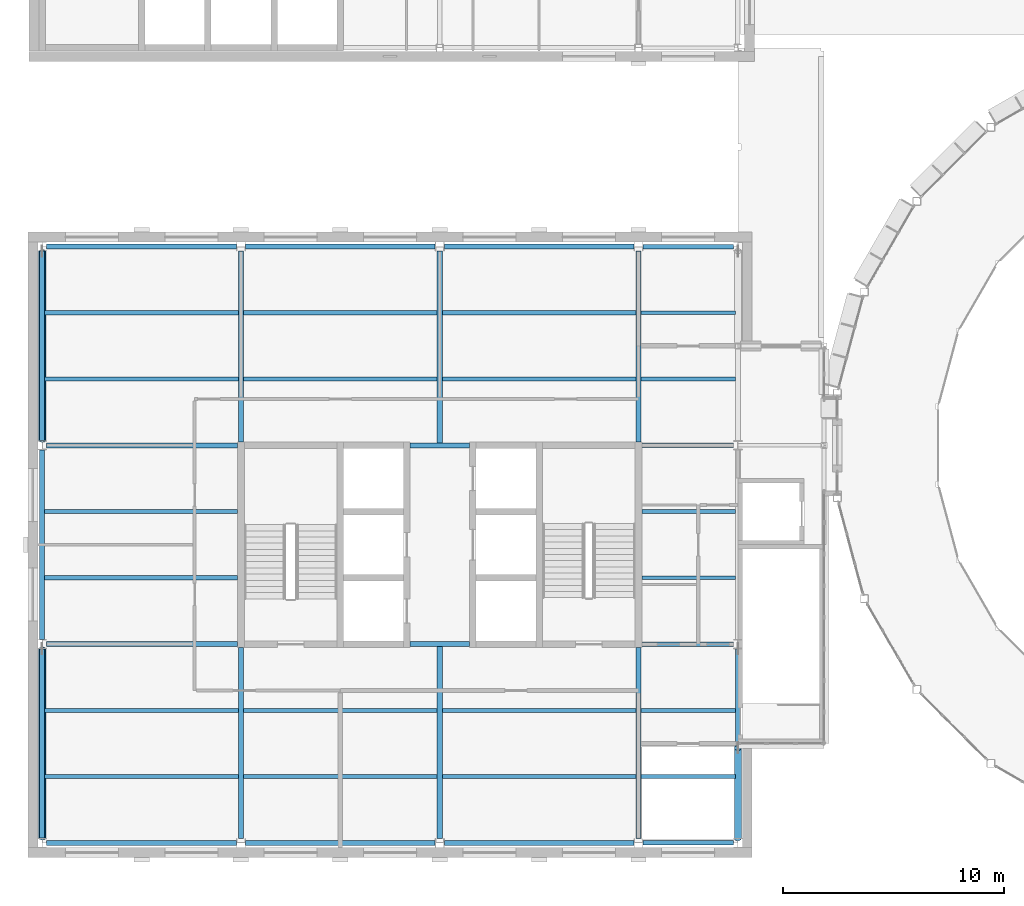
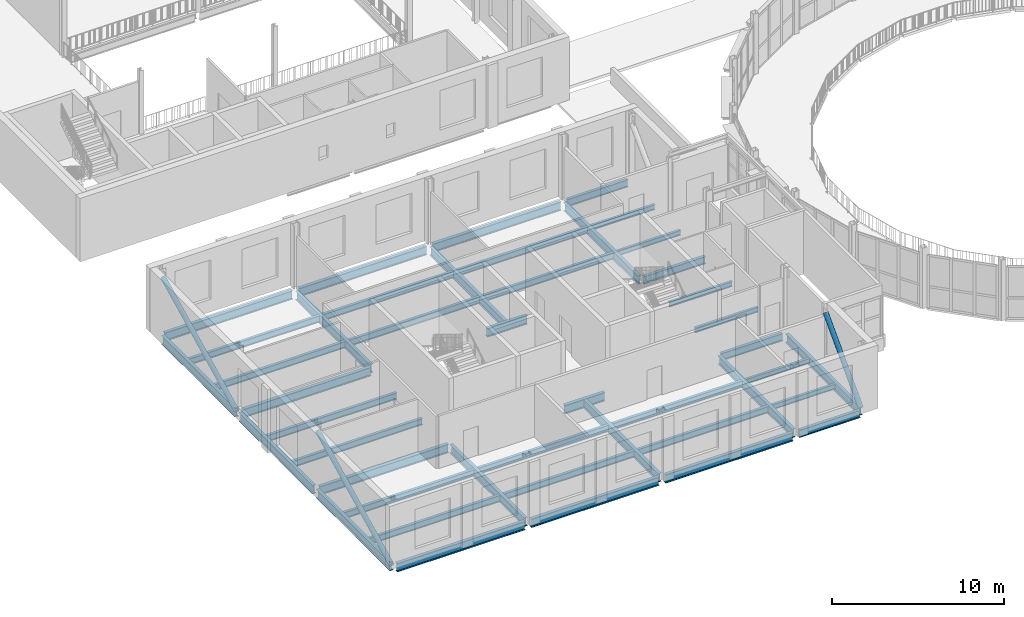
# One storey, part 11 of 74: 44 beams, 3 members.
"""IFC4 building model written with IfcOpenShell, lengths in metres."""

from ifc_helpers import new_model, si_unit, direction, frame, origin, origin_2d, place, context, subcontext, project, spatial, hollow_circle, i_section, extrude, material, material_profile, profile_set, type_object, element, save


model = new_model("IFC4")

# Units and contexts
model_context = context("Model", 3, precision=1e-05, world=origin(), true_north=direction((0.0, 1.0)))
body_context = subcontext(model_context, "Body", "Model", "MODEL_VIEW")
ifc_project = project(units=[si_unit("LENGTHUNIT", "METRE"), si_unit("AREAUNIT", "SQUARE_METRE"), si_unit("VOLUMEUNIT", "CUBIC_METRE"), si_unit("PLANEANGLEUNIT", "RADIAN"), si_unit("MASSUNIT", "GRAM", prefix="KILO")], contexts=[model_context])

# Site, building, storey
site_placement = place(None, origin())
site = spatial("IfcSite", under=ifc_project, at=site_placement, CompositionType="ELEMENT")
building_placement = place(site_placement, origin())
building = spatial("IfcBuilding", under=site, at=building_placement, Name="Hortulan Conservatory and Botanical Research Centre", CompositionType="ELEMENT")
storey_placement = place(building_placement, frame((0.0, 0.0, 6.0)))
storey = spatial("IfcBuildingStorey", under=building, at=storey_placement, Name="L01", CompositionType="ELEMENT", Elevation=6.0)

# Members
ifc_material_1 = material(Name="Steel Grade C350L0 (350 MPa, AS/NZS 1163)", Category="steel")
ifc_material_profile_1 = material_profile(ifc_material_1, hollow_circle(Radius=0.161865234375, WallThickness=0.009521484375, at=origin_2d()), Name="323.9x9.5CHS")
ifc_profile_set_1 = profile_set([ifc_material_profile_1], Name="Steel Grade C350L0 (350 MPa, AS/NZS 1163)")
member_type = type_object("IfcMemberType", Name="Brace 323.9x9.5CHS", PredefinedType="BRACE", material=ifc_profile_set_1)
member_placement = place(storey_placement, frame((31.5, 0.2109375, -0.252685546875), z_axis=(0.0, 0.690858250676, 0.722990233318), x_axis=(-1.0, 0.0, 0.0)))
element("IfcMember", 1, at=member_placement, inside=storey, type_object=member_type, Name="323.9x9.5CHS brace", PredefinedType="BRACE", context=body_context, shape_type="SweptSolid", body=[
    extrude(hollow_circle(Radius=0.161865234375, WallThickness=0.009521484375, at=origin_2d()), origin(), (0.0, 0.0, 1.0), 5.9189453125),
])
for number, where, z_axis, x_axis, name in (
    (2, (0.0, 0.2109375, -0.367919921875), (0.0, 0.894437373343, 0.447193230234), (-1.0, 0.0, 0.0), "323.9x9.5CHS brace"),
    (3, (0.0, 18.2109375, -0.367919921875), (0.0, 0.894437373343, 0.447193230234), (-1.0, 0.0, 0.0), "323.9x9.5CHS brace"),
):
    element("IfcMember", number, at=place(storey_placement, frame(where, z_axis=z_axis, x_axis=x_axis)), inside=storey, type_object=member_type, Name=name, PredefinedType="BRACE", context=body_context, shape_type="SweptSolid", body=[
        extrude(hollow_circle(Radius=0.161865234375, WallThickness=0.009521484375, at=origin_2d()), origin(), (0.0, 0.0, 1.0), 9.590576171875),
    ])

# Beams
ifc_material_2 = material(Name="Steel Grade 300PLUS (AS/NZS 3679.1, 280 MPa minimum yield)", Category="steel")
ifc_material_profile_2 = material_profile(ifc_material_2, i_section(OverallWidth=0.208984375, OverallDepth=0.528076171875, WebThickness=0.009521484375, FlangeThickness=0.01318359375, FilletRadius=0.013916015625, at=origin_2d()), Name="530UB82.0")
ifc_profile_set_2 = profile_set([ifc_material_profile_2], Name="Steel Grade 300PLUS (AS/NZS 3679.1, 280 MPa minimum yield)")
beam_type_1 = type_object("IfcBeamType", Name="Primary Beam 530UB82.0", PredefinedType="BEAM", material=ifc_profile_set_2)
for number, where, z_axis, x_axis, name in (
    (4, (27.2109375, 0.0, -0.43408203125), (1.0, 0.0, 0.0), (0.0, 1.0, 0.0), "530UB82.0 girder"),
    (5, (27.2109375, 27.0, -0.43408203125), (1.0, 0.0, 0.0), (0.0, 1.0, 0.0), "530UB82.0 girder"),
):
    element("IfcBeam", number, at=place(storey_placement, frame(where, z_axis=z_axis, x_axis=x_axis)), inside=storey, type_object=beam_type_1, Name=name, PredefinedType="BEAM", context=body_context, shape_type="SweptSolid", body=[
        extrude(i_section(OverallWidth=0.208984375, OverallDepth=0.528076171875, WebThickness=0.009521484375, FlangeThickness=0.01318359375, FilletRadius=0.013916015625, at=origin_2d()), origin(), (0.0, 0.0, 1.0), 4.089111328125),
    ])
for number, where, z_axis, x_axis, name in (
    (6, (27.14990234375, 9.0, -0.43408203125), (1.0, 0.0, 0.0), (0.0, 1.0, 0.0), "530UB82.0 girder"),
    (7, (27.14990234375, 18.0, -0.43408203125), (1.0, 0.0, 0.0), (0.0, 1.0, 0.0), "530UB82.0 girder"),
):
    element("IfcBeam", number, at=place(storey_placement, frame(where, z_axis=z_axis, x_axis=x_axis)), inside=storey, type_object=beam_type_1, Name=name, PredefinedType="BEAM", context=body_context, shape_type="SweptSolid", body=[
        extrude(i_section(OverallWidth=0.208984375, OverallDepth=0.528076171875, WebThickness=0.009521484375, FlangeThickness=0.01318359375, FilletRadius=0.013916015625, at=origin_2d()), origin(), (0.0, 0.0, 1.0), 4.150146484375),
    ])
ifc_material_profile_3 = material_profile(ifc_material_2, i_section(OverallWidth=0.22802734375, OverallDepth=0.60693359375, WebThickness=0.01123046875, FlangeThickness=0.017333984375, FilletRadius=0.013916015625, at=origin_2d()), Name="610UB113")
ifc_profile_set_3 = profile_set([ifc_material_profile_3], Name="Steel Grade 300PLUS (AS/NZS 3679.1, 280 MPa minimum yield)")
beam_type_2 = type_object("IfcBeamType", Name="Primary Beam 610UB113", PredefinedType="BEAM", material=ifc_profile_set_3)
beam_1_placement = place(storey_placement, frame((0.0, 0.2109375, -0.473388671875), z_axis=(0.0, 1.0, 0.0), x_axis=(-1.0, 0.0, 0.0)))
element("IfcBeam", 8, at=beam_1_placement, inside=storey, type_object=beam_type_2, Name="610UB113 girder", PredefinedType="BEAM", context=body_context, shape_type="SweptSolid", body=[
    extrude(i_section(OverallWidth=0.22802734375, OverallDepth=0.60693359375, WebThickness=0.01123046875, FlangeThickness=0.017333984375, FilletRadius=0.013916015625, at=origin_2d()), origin(), (0.0, 0.0, 1.0), 8.578125),
])
beam_2_placement = place(storey_placement, frame((0.199951171875, 0.0, -0.473388671875), z_axis=(1.0, 0.0, 0.0), x_axis=(0.0, 1.0, 0.0)))
element("IfcBeam", 9, at=beam_2_placement, inside=storey, type_object=beam_type_2, Name="610UB113 girder", PredefinedType="BEAM", context=body_context, shape_type="SweptSolid", body=[
    extrude(i_section(OverallWidth=0.22802734375, OverallDepth=0.60693359375, WebThickness=0.01123046875, FlangeThickness=0.017333984375, FilletRadius=0.013916015625, at=origin_2d()), origin(), (0.0, 0.0, 1.0), 8.589111328125),
])
for number, where, z_axis, x_axis, name in (
    (10, (0.0, 9.2109375, -0.473388671875), (0.0, 1.0, 0.0), (-1.0, 0.0, 0.0), "610UB113 girder"),
    (11, (0.0, 18.2109375, -0.473388671875), (0.0, 1.0, 0.0), (-1.0, 0.0, 0.0), "610UB113 girder"),
):
    element("IfcBeam", number, at=place(storey_placement, frame(where, z_axis=z_axis, x_axis=x_axis)), inside=storey, type_object=beam_type_2, Name=name, PredefinedType="BEAM", context=body_context, shape_type="SweptSolid", body=[
        extrude(i_section(OverallWidth=0.22802734375, OverallDepth=0.60693359375, WebThickness=0.01123046875, FlangeThickness=0.017333984375, FilletRadius=0.013916015625, at=origin_2d()), origin(), (0.0, 0.0, 1.0), 8.578125),
    ])
beam_3_placement = place(storey_placement, frame((0.199951171875, 27.0, -0.473388671875), z_axis=(1.0, 0.0, 0.0), x_axis=(0.0, 1.0, 0.0)))
element("IfcBeam", 12, at=beam_3_placement, inside=storey, type_object=beam_type_2, Name="610UB113 girder", PredefinedType="BEAM", context=body_context, shape_type="SweptSolid", body=[
    extrude(i_section(OverallWidth=0.22802734375, OverallDepth=0.60693359375, WebThickness=0.01123046875, FlangeThickness=0.017333984375, FilletRadius=0.013916015625, at=origin_2d()), origin(), (0.0, 0.0, 1.0), 8.589111328125),
])
for number, where, z_axis, x_axis, name in (
    (13, (9.2109375, 0.0, -0.473388671875), (1.0, 0.0, 0.0), (0.0, 1.0, 0.0), "610UB113 girder"),
    (14, (9.2109375, 27.0, -0.473388671875), (1.0, 0.0, 0.0), (0.0, 1.0, 0.0), "610UB113 girder"),
    (15, (18.2109375, 0.0, -0.473388671875), (1.0, 0.0, 0.0), (0.0, 1.0, 0.0), "610UB113 girder"),
    (16, (18.2109375, 27.0, -0.473388671875), (1.0, 0.0, 0.0), (0.0, 1.0, 0.0), "610UB113 girder"),
    (17, (31.5, 0.2109375, -0.473388671875), (0.0, 1.0, 0.0), (-1.0, 0.0, 0.0), "610UB113 girder"),
):
    element("IfcBeam", number, at=place(storey_placement, frame(where, z_axis=z_axis, x_axis=x_axis)), inside=storey, type_object=beam_type_2, Name=name, PredefinedType="BEAM", context=body_context, shape_type="SweptSolid", body=[
        extrude(i_section(OverallWidth=0.22802734375, OverallDepth=0.60693359375, WebThickness=0.01123046875, FlangeThickness=0.017333984375, FilletRadius=0.013916015625, at=origin_2d()), origin(), (0.0, 0.0, 1.0), 8.578125),
    ])
ifc_material_profile_4 = material_profile(ifc_material_2, i_section(OverallWidth=0.22900390625, OverallDepth=0.612060546875, WebThickness=0.011962890625, FlangeThickness=0.01953125, FilletRadius=0.013916015625, at=origin_2d()), Name="610UB125")
ifc_profile_set_4 = profile_set([ifc_material_profile_4], Name="Steel Grade 300PLUS (AS/NZS 3679.1, 280 MPa minimum yield)")
beam_type_3 = type_object("IfcBeamType", Name="Primary Beam 610UB125", PredefinedType="BEAM", material=ifc_profile_set_4)
for number, where, z_axis, x_axis, name in (
    (18, (0.199951171875, 9.0, -0.47607421875), (1.0, 0.0, 0.0), (0.0, 1.0, 0.0), "610UB125 girder"),
    (19, (0.199951171875, 18.0, -0.47607421875), (1.0, 0.0, 0.0), (0.0, 1.0, 0.0), "610UB125 girder"),
    (20, (9.0, 0.199951171875, -0.47607421875), (0.0, 1.0, 0.0), (-1.0, 0.0, 0.0), "610UB125 girder"),
    (21, (9.0, 18.14990234375, -0.47607421875), (0.0, 1.0, 0.0), (-1.0, 0.0, 0.0), "610UB125 girder"),
):
    element("IfcBeam", number, at=place(storey_placement, frame(where, z_axis=z_axis, x_axis=x_axis)), inside=storey, type_object=beam_type_3, Name=name, PredefinedType="BEAM", context=body_context, shape_type="SweptSolid", body=[
        extrude(i_section(OverallWidth=0.22900390625, OverallDepth=0.612060546875, WebThickness=0.011962890625, FlangeThickness=0.01953125, FilletRadius=0.013916015625, at=origin_2d()), origin(), (0.0, 0.0, 1.0), 8.650146484375),
    ])
for number, where, z_axis, x_axis, name in (
    (22, (16.64990234375, 9.0, -0.47607421875), (1.0, 0.0, 0.0), (0.0, 1.0, 0.0), "610UB125 girder"),
    (23, (16.64990234375, 18.0, -0.47607421875), (1.0, 0.0, 0.0), (0.0, 1.0, 0.0), "610UB125 girder"),
):
    element("IfcBeam", number, at=place(storey_placement, frame(where, z_axis=z_axis, x_axis=x_axis)), inside=storey, type_object=beam_type_3, Name=name, PredefinedType="BEAM", context=body_context, shape_type="SweptSolid", body=[
        extrude(i_section(OverallWidth=0.22900390625, OverallDepth=0.612060546875, WebThickness=0.011962890625, FlangeThickness=0.01953125, FilletRadius=0.013916015625, at=origin_2d()), origin(), (0.0, 0.0, 1.0), 2.7001953125),
    ])
for number, where, z_axis, x_axis, name in (
    (24, (18.0, 0.199951171875, -0.47607421875), (0.0, 1.0, 0.0), (-1.0, 0.0, 0.0), "610UB125 girder"),
    (25, (18.0, 18.0, -0.47607421875), (0.0, 1.0, 0.0), (-1.0, 0.0, 0.0), "610UB125 girder"),
):
    element("IfcBeam", number, at=place(storey_placement, frame(where, z_axis=z_axis, x_axis=x_axis)), inside=storey, type_object=beam_type_3, Name=name, PredefinedType="BEAM", context=body_context, shape_type="SweptSolid", body=[
        extrude(i_section(OverallWidth=0.22900390625, OverallDepth=0.612060546875, WebThickness=0.011962890625, FlangeThickness=0.01953125, FilletRadius=0.013916015625, at=origin_2d()), origin(), (0.0, 0.0, 1.0), 8.800048828125),
    ])
for number, where, z_axis, x_axis, name in (
    (26, (27.0, 0.199951171875, -0.47607421875), (0.0, 1.0, 0.0), (-1.0, 0.0, 0.0), "610UB125 girder"),
    (27, (27.0, 18.14990234375, -0.47607421875), (0.0, 1.0, 0.0), (-1.0, 0.0, 0.0), "610UB125 girder"),
):
    element("IfcBeam", number, at=place(storey_placement, frame(where, z_axis=z_axis, x_axis=x_axis)), inside=storey, type_object=beam_type_3, Name=name, PredefinedType="BEAM", context=body_context, shape_type="SweptSolid", body=[
        extrude(i_section(OverallWidth=0.22900390625, OverallDepth=0.612060546875, WebThickness=0.011962890625, FlangeThickness=0.01953125, FilletRadius=0.013916015625, at=origin_2d()), origin(), (0.0, 0.0, 1.0), 8.650146484375),
    ])
ifc_material_profile_5 = material_profile(ifc_material_2, i_section(OverallWidth=0.1708984375, OverallDepth=0.35595703125, WebThickness=0.00732421875, FlangeThickness=0.011474609375, FilletRadius=0.011474609375, at=origin_2d()), Name="360UB50.7")
ifc_profile_set_5 = profile_set([ifc_material_profile_5], Name="Steel Grade 300PLUS (AS/NZS 3679.1, 280 MPa minimum yield)")
beam_type_4 = type_object("IfcBeamType", Name="Secondary Beam 360UB50.7", PredefinedType="JOIST", material=ifc_profile_set_5)
for number, where, z_axis, x_axis, name in (
    (28, (27.114501953125, 3.0, -0.347900390625), (1.0, 0.0, 0.0), (0.0, 1.0, 0.0), "360UB50.7 secondary beam"),
    (29, (27.114501953125, 6.0, -0.347900390625), (1.0, 0.0, 0.0), (0.0, 1.0, 0.0), "360UB50.7 secondary beam"),
):
    element("IfcBeam", number, at=place(storey_placement, frame(where, z_axis=z_axis, x_axis=x_axis)), inside=storey, type_object=beam_type_4, Name=name, PredefinedType="JOIST", context=body_context, shape_type="SweptSolid", body=[
        extrude(i_section(OverallWidth=0.1708984375, OverallDepth=0.35595703125, WebThickness=0.00732421875, FlangeThickness=0.011474609375, FilletRadius=0.011474609375, at=origin_2d()), origin(), (0.0, 0.0, 1.0), 4.271484375),
    ])
for number, where, z_axis, x_axis, name in (
    (30, (27.14990234375, 12.0, -0.347900390625), (1.0, 0.0, 0.0), (0.0, 1.0, 0.0), "360UB50.7 secondary beam"),
    (31, (27.14990234375, 15.0, -0.347900390625), (1.0, 0.0, 0.0), (0.0, 1.0, 0.0), "360UB50.7 secondary beam"),
):
    element("IfcBeam", number, at=place(storey_placement, frame(where, z_axis=z_axis, x_axis=x_axis)), inside=storey, type_object=beam_type_4, Name=name, PredefinedType="JOIST", context=body_context, shape_type="SweptSolid", body=[
        extrude(i_section(OverallWidth=0.1708984375, OverallDepth=0.35595703125, WebThickness=0.00732421875, FlangeThickness=0.011474609375, FilletRadius=0.011474609375, at=origin_2d()), origin(), (0.0, 0.0, 1.0), 4.236083984375),
    ])
for number, where, z_axis, x_axis, name in (
    (32, (27.114501953125, 21.0, -0.347900390625), (1.0, 0.0, 0.0), (0.0, 1.0, 0.0), "360UB50.7 secondary beam"),
    (33, (27.114501953125, 24.0, -0.347900390625), (1.0, 0.0, 0.0), (0.0, 1.0, 0.0), "360UB50.7 secondary beam"),
):
    element("IfcBeam", number, at=place(storey_placement, frame(where, z_axis=z_axis, x_axis=x_axis)), inside=storey, type_object=beam_type_4, Name=name, PredefinedType="JOIST", context=body_context, shape_type="SweptSolid", body=[
        extrude(i_section(OverallWidth=0.1708984375, OverallDepth=0.35595703125, WebThickness=0.00732421875, FlangeThickness=0.011474609375, FilletRadius=0.011474609375, at=origin_2d()), origin(), (0.0, 0.0, 1.0), 4.271484375),
    ])
ifc_material_profile_6 = material_profile(ifc_material_2, i_section(OverallWidth=0.19091796875, OverallDepth=0.4599609375, WebThickness=0.010009765625, FlangeThickness=0.01611328125, FilletRadius=0.011474609375, at=origin_2d()), Name="460UB82.1")
ifc_profile_set_6 = profile_set([ifc_material_profile_6], Name="Steel Grade 300PLUS (AS/NZS 3679.1, 280 MPa minimum yield)")
beam_type_5 = type_object("IfcBeamType", Name="Secondary Beam 460UB82.1", PredefinedType="JOIST", material=ifc_profile_set_6)
for number, where, z_axis, x_axis, name in (
    (34, (0.114013671875, 3.0, -0.39990234375), (1.0, 0.0, 0.0), (0.0, 1.0, 0.0), "460UB82.1 secondary beam"),
    (35, (0.114013671875, 6.0, -0.39990234375), (1.0, 0.0, 0.0), (0.0, 1.0, 0.0), "460UB82.1 secondary beam"),
):
    element("IfcBeam", number, at=place(storey_placement, frame(where, z_axis=z_axis, x_axis=x_axis)), inside=storey, type_object=beam_type_5, Name=name, PredefinedType="JOIST", context=body_context, shape_type="SweptSolid", body=[
        extrude(i_section(OverallWidth=0.19091796875, OverallDepth=0.4599609375, WebThickness=0.010009765625, FlangeThickness=0.01611328125, FilletRadius=0.011474609375, at=origin_2d()), origin(), (0.0, 0.0, 1.0), 8.771484375),
    ])
for number, where, z_axis, x_axis, name in (
    (36, (0.114013671875, 12.0, -0.39990234375), (1.0, 0.0, 0.0), (0.0, 1.0, 0.0), "460UB82.1 secondary beam"),
    (37, (0.114013671875, 15.0, -0.39990234375), (1.0, 0.0, 0.0), (0.0, 1.0, 0.0), "460UB82.1 secondary beam"),
):
    element("IfcBeam", number, at=place(storey_placement, frame(where, z_axis=z_axis, x_axis=x_axis)), inside=storey, type_object=beam_type_5, Name=name, PredefinedType="JOIST", context=body_context, shape_type="SweptSolid", body=[
        extrude(i_section(OverallWidth=0.19091796875, OverallDepth=0.4599609375, WebThickness=0.010009765625, FlangeThickness=0.01611328125, FilletRadius=0.011474609375, at=origin_2d()), origin(), (0.0, 0.0, 1.0), 8.736083984375),
    ])
for number, where, z_axis, x_axis, name in (
    (38, (0.114013671875, 21.0, -0.39990234375), (1.0, 0.0, 0.0), (0.0, 1.0, 0.0), "460UB82.1 secondary beam"),
    (39, (0.114013671875, 24.0, -0.39990234375), (1.0, 0.0, 0.0), (0.0, 1.0, 0.0), "460UB82.1 secondary beam"),
):
    element("IfcBeam", number, at=place(storey_placement, frame(where, z_axis=z_axis, x_axis=x_axis)), inside=storey, type_object=beam_type_5, Name=name, PredefinedType="JOIST", context=body_context, shape_type="SweptSolid", body=[
        extrude(i_section(OverallWidth=0.19091796875, OverallDepth=0.4599609375, WebThickness=0.010009765625, FlangeThickness=0.01611328125, FilletRadius=0.011474609375, at=origin_2d()), origin(), (0.0, 0.0, 1.0), 8.771484375),
    ])
for number, where, z_axis, x_axis, name in (
    (40, (9.114501953125, 3.0, -0.39990234375), (1.0, 0.0, 0.0), (0.0, 1.0, 0.0), "460UB82.1 secondary beam"),
    (41, (9.114501953125, 6.0, -0.39990234375), (1.0, 0.0, 0.0), (0.0, 1.0, 0.0), "460UB82.1 secondary beam"),
    (42, (9.114501953125, 21.0, -0.39990234375), (1.0, 0.0, 0.0), (0.0, 1.0, 0.0), "460UB82.1 secondary beam"),
    (43, (9.114501953125, 24.0, -0.39990234375), (1.0, 0.0, 0.0), (0.0, 1.0, 0.0), "460UB82.1 secondary beam"),
    (44, (18.114501953125, 3.0, -0.39990234375), (1.0, 0.0, 0.0), (0.0, 1.0, 0.0), "460UB82.1 secondary beam"),
    (45, (18.114501953125, 6.0, -0.39990234375), (1.0, 0.0, 0.0), (0.0, 1.0, 0.0), "460UB82.1 secondary beam"),
    (46, (18.114501953125, 21.0, -0.39990234375), (1.0, 0.0, 0.0), (0.0, 1.0, 0.0), "460UB82.1 secondary beam"),
    (47, (18.114501953125, 24.0, -0.39990234375), (1.0, 0.0, 0.0), (0.0, 1.0, 0.0), "460UB82.1 secondary beam"),
):
    element("IfcBeam", number, at=place(storey_placement, frame(where, z_axis=z_axis, x_axis=x_axis)), inside=storey, type_object=beam_type_5, Name=name, PredefinedType="JOIST", context=body_context, shape_type="SweptSolid", body=[
        extrude(i_section(OverallWidth=0.19091796875, OverallDepth=0.4599609375, WebThickness=0.010009765625, FlangeThickness=0.01611328125, FilletRadius=0.011474609375, at=origin_2d()), origin(), (0.0, 0.0, 1.0), 8.77099609375),
    ])

save(model, "model.ifc")
